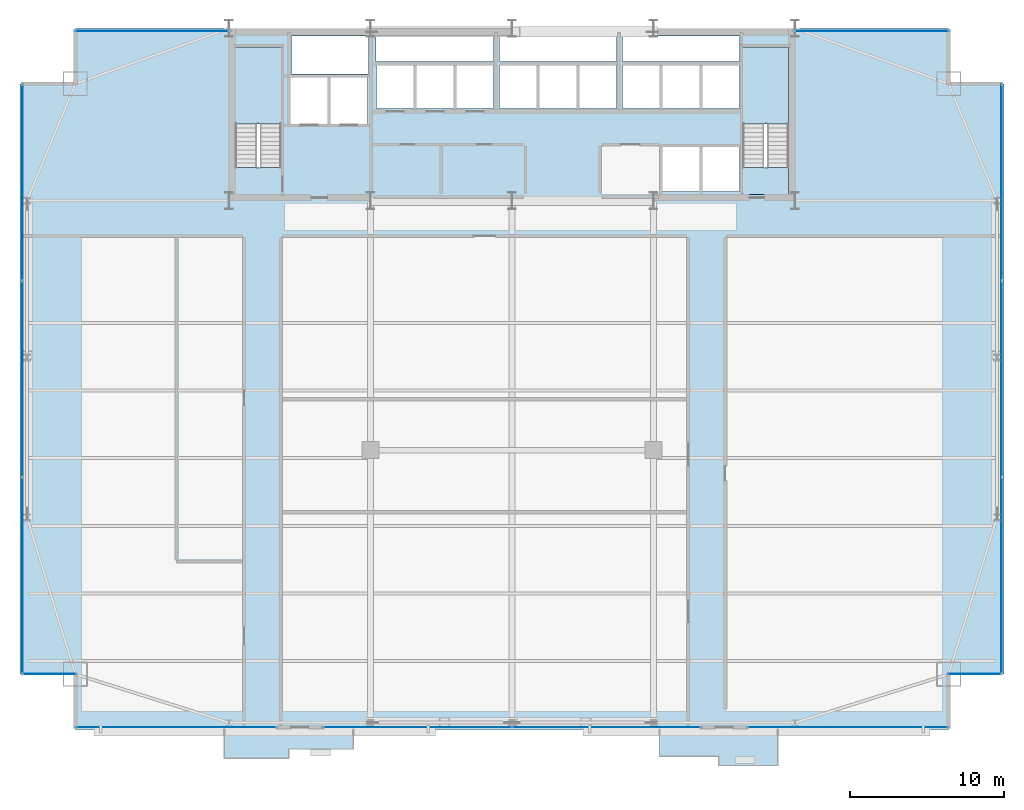
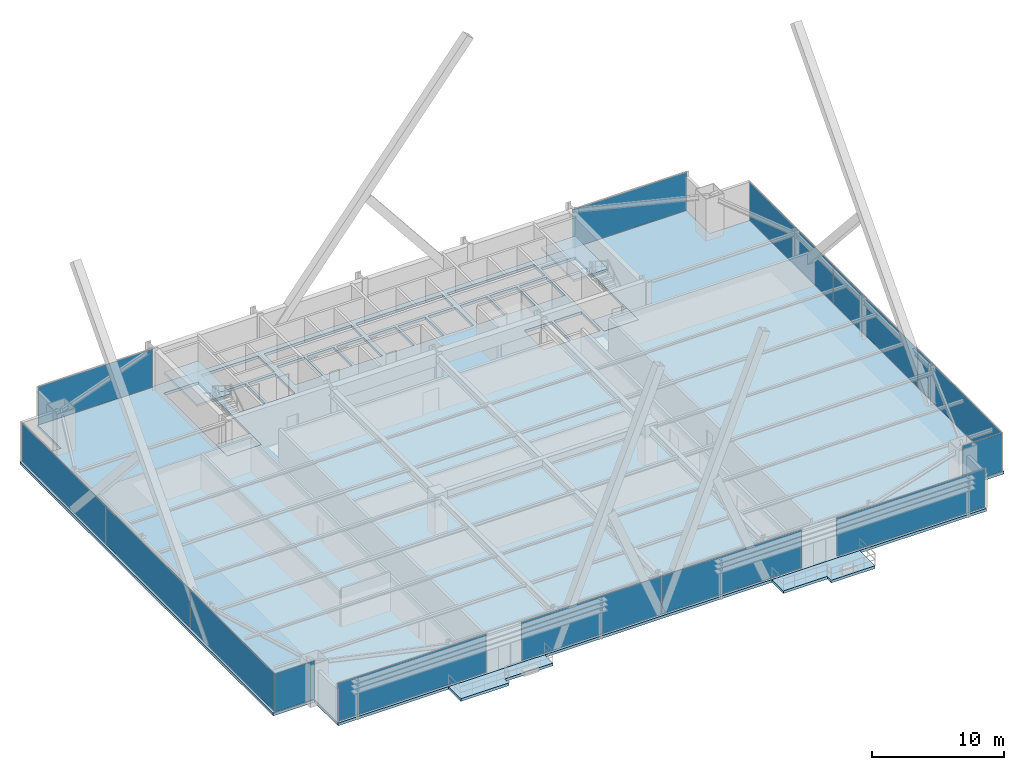
# One storey, part 25 of 32: 14 plates, 7 slabs, 11 elements without a shape of their own.
"""IFC4 building model written with IfcOpenShell, lengths in metres."""

from ifc_helpers import new_model, si_unit, direction, frame, origin, origin_2d, place, context, subcontext, project, spatial, polyline, rectangle, outline, extrude, source, transform, mapped, material, layer, layer_set, type_object, type_shapes, element, aggregate, save


model = new_model("IFC4")

# Units and contexts
model_context = context("Model", 3, precision=1e-05, world=origin(), true_north=direction((0.0, 1.0)))
body_context = subcontext(model_context, "Body", "Model", "MODEL_VIEW")
ifc_project = project(units=[si_unit("LENGTHUNIT", "METRE"), si_unit("AREAUNIT", "SQUARE_METRE"), si_unit("VOLUMEUNIT", "CUBIC_METRE"), si_unit("PLANEANGLEUNIT", "RADIAN"), si_unit("MASSUNIT", "GRAM", prefix="KILO")], contexts=[model_context])

# Site, building, storey
site_placement = place(None, origin())
site = spatial("IfcSite", under=ifc_project, at=site_placement, CompositionType="ELEMENT")
building_placement = place(site_placement, origin())
building = spatial("IfcBuilding", under=site, at=building_placement, Name="Varnel Quay Broadcast Tower", CompositionType="ELEMENT")
storey_placement = place(building_placement, frame((0.0, 0.0, 58.800048828125)))
storey = spatial("IfcBuildingStorey", under=building, at=storey_placement, Name="L13", CompositionType="ELEMENT", Elevation=58.800048828125)

# Slabs
ifc_material_1 = material(Name="Concrete CSA A23.3 C40/50", Category="concrete")
ifc_layer_1 = layer(ifc_material_1, 0.25, Name="Concrete CSA A23.3 C40/50")
ifc_layer_set_1 = layer_set([ifc_layer_1], Name="Concrete CSA A23.3 C40/50")
slab_type_1 = type_object("IfcSlabType", Name="Slab_ExtTerrace250", PredefinedType="FLOOR", material=ifc_layer_set_1)
slab_1_placement = place(storey_placement, frame((0.0, 0.0, -0.25)))
element("IfcSlab", 1, at=slab_1_placement, inside=storey, type_object=slab_type_1, Name="L13 Planted Lobe Terrace Slab 1", PredefinedType="FLOOR", context=body_context, shape_type="SweptSolid", body=[
    extrude(outline(polyline([(15.280029296875, -0.660888671875), (19.47998046875, -0.660888671875), (19.47998046875, -0.06103515625), (23.679931640625, -0.06103515625), (23.679931640625, 1.199951171875), (15.280029296875, 1.199951171875), (15.280029296875, -0.660888671875)])), origin(), (0.0, 0.0, 1.0), 0.25),
])
slab_2_placement = place(storey_placement, frame((0.0, 0.0, -0.25)))
element("IfcSlab", 2, at=slab_2_placement, inside=storey, type_object=slab_type_1, Name="L13 Planted Lobe Terrace Slab 2", PredefinedType="FLOOR", context=body_context, shape_type="SweptSolid", body=[
    extrude(outline(polyline([(43.60009765625, -0.5390625), (47.43994140625, -0.5390625), (47.43994140625, -1.138916015625), (51.280029296875, -1.138916015625), (51.280029296875, 1.199951171875), (43.60009765625, 1.199951171875), (43.60009765625, -0.5390625)])), origin(), (0.0, 0.0, 1.0), 0.25),
])
ifc_material_2 = material(Name="Concrete CSA A23.3 C50/60", Category="concrete")
ifc_layer_2 = layer(ifc_material_2, 0.25, Name="Concrete CSA A23.3 C50/60")
ifc_layer_set_2 = layer_set([ifc_layer_2], Name="Concrete CSA A23.3 C50/60")
slab_type_2 = type_object("IfcSlabType", Name="Slab_Floor250", PredefinedType="FLOOR", material=ifc_layer_set_2)
slab_3_placement = place(storey_placement, frame((0.0, 0.0, -0.25)))
element("IfcSlab", 3, at=slab_3_placement, inside=storey, type_object=slab_type_2, Name="L13 Structural Slab", PredefinedType="FLOOR", context=body_context, shape_type="SweptSolid", body=[
    extrude(outline(polyline([(5.60009765625, 1.199951171875), (62.39990234375, 1.199951171875), (62.39990234375, 4.800048828125), (66.0, 4.800048828125), (66.0, 43.199951171875), (62.39990234375, 43.199951171875), (62.39990234375, 46.800048828125), (5.60009765625, 46.800048828125), (5.60009765625, 43.199951171875), (2.0, 43.199951171875), (2.0, 4.800048828125), (5.60009765625, 4.800048828125), (5.60009765625, 1.199951171875)]), holes=[polyline([(16.0, 36.0), (16.0, 45.60009765625), (19.0, 45.60009765625), (19.0, 36.0), (16.0, 36.0)]), polyline([(19.60009765625, 43.60009765625), (22.0, 43.60009765625), (22.0, 40.60009765625), (19.60009765625, 40.60009765625), (19.60009765625, 43.60009765625)]), polyline([(22.199951171875, 43.60009765625), (24.60009765625, 43.60009765625), (24.60009765625, 40.60009765625), (22.199951171875, 40.60009765625), (22.199951171875, 43.60009765625)]), polyline([(25.199951171875, 44.39990234375), (27.60009765625, 44.39990234375), (27.60009765625, 41.60009765625), (25.199951171875, 41.60009765625), (25.199951171875, 44.39990234375)]), polyline([(27.800048828125, 44.39990234375), (30.199951171875, 44.39990234375), (30.199951171875, 41.60009765625), (27.800048828125, 41.60009765625), (27.800048828125, 44.39990234375)]), polyline([(30.39990234375, 44.39990234375), (32.800048828125, 44.39990234375), (32.800048828125, 41.60009765625), (30.39990234375, 41.60009765625), (30.39990234375, 44.39990234375)]), polyline([(33.199951171875, 44.39990234375), (35.60009765625, 44.39990234375), (35.60009765625, 41.60009765625), (33.199951171875, 41.60009765625), (33.199951171875, 44.39990234375)]), polyline([(38.199951171875, 44.39990234375), (38.199951171875, 41.60009765625), (35.800048828125, 41.60009765625), (35.800048828125, 44.39990234375), (38.199951171875, 44.39990234375)]), polyline([(24.679931640625, 46.300048828125), (24.679931640625, 43.85009765625), (19.64990234375, 43.85009765625), (19.64990234375, 46.300048828125), (24.679931640625, 46.300048828125)]), polyline([(25.14990234375, 46.300048828125), (32.800048828125, 46.300048828125), (32.800048828125, 44.64990234375), (25.14990234375, 44.64990234375), (25.14990234375, 46.300048828125)]), polyline([(43.800048828125, 39.10009765625), (46.199951171875, 39.10009765625), (46.199951171875, 36.199951171875), (43.800048828125, 36.199951171875), (43.800048828125, 39.10009765625)]), polyline([(46.39990234375, 39.10009765625), (48.800048828125, 39.10009765625), (48.800048828125, 36.199951171875), (46.39990234375, 36.199951171875), (46.39990234375, 39.10009765625)]), polyline([(49.0, 45.60009765625), (52.0, 45.60009765625), (52.0, 36.0), (49.0, 36.0), (49.0, 45.60009765625)]), polyline([(40.800048828125, 44.39990234375), (40.800048828125, 41.60009765625), (38.39990234375, 41.60009765625), (38.39990234375, 44.39990234375), (40.800048828125, 44.39990234375)]), polyline([(41.199951171875, 44.39990234375), (43.60009765625, 44.39990234375), (43.60009765625, 41.60009765625), (41.199951171875, 41.60009765625), (41.199951171875, 44.39990234375)]), polyline([(43.800048828125, 44.39990234375), (46.199951171875, 44.39990234375), (46.199951171875, 41.60009765625), (43.800048828125, 41.60009765625), (43.800048828125, 44.39990234375)]), polyline([(46.39990234375, 44.39990234375), (48.800048828125, 44.39990234375), (48.800048828125, 41.60009765625), (46.39990234375, 41.60009765625), (46.39990234375, 44.39990234375)]), polyline([(40.800048828125, 46.300048828125), (40.800048828125, 44.64990234375), (33.199951171875, 44.64990234375), (33.199951171875, 46.300048828125), (40.800048828125, 46.300048828125)]), polyline([(48.800048828125, 46.300048828125), (48.800048828125, 44.64990234375), (41.199951171875, 44.64990234375), (41.199951171875, 46.300048828125), (48.800048828125, 46.300048828125)])]), origin(), (0.0, 0.0, 1.0), 0.25),
])
ifc_layer_3 = layer(ifc_material_2, 0.25, Name="Concrete CSA A23.3 C50/60")
ifc_layer_set_3 = layer_set([ifc_layer_3], Name="Concrete CSA A23.3 C50/60")
slab_type_3 = type_object("IfcSlabType", Name="Slab_StairFloorLanding250", PredefinedType="FLOOR", material=ifc_layer_set_3)
slab_4_placement = place(storey_placement, frame((0.0, 0.0, -0.25)))
element("IfcSlab", 4, at=slab_4_placement, inside=storey, type_object=slab_type_3, Name="L13 ST-01 Structural Floor Landing Slab", PredefinedType="FLOOR", context=body_context, shape_type="SweptSolid", body=[
    extrude(outline(polyline([(19.0, 36.0), (19.0, 37.75), (16.0, 37.75), (16.0, 36.0), (19.0, 36.0)])), origin(), (0.0, 0.0, 1.0), 0.25),
])
slab_5_placement = place(storey_placement, frame((0.0, 0.0, -0.25)))
element("IfcSlab", 5, at=slab_5_placement, inside=storey, type_object=slab_type_3, Name="L13 ST-02 Structural Floor Landing Slab", PredefinedType="FLOOR", context=body_context, shape_type="SweptSolid", body=[
    extrude(outline(polyline([(52.0, 36.0), (52.0, 37.75), (49.0, 37.75), (49.0, 36.0), (52.0, 36.0)])), origin(), (0.0, 0.0, 1.0), 0.25),
])

# Stair, slab
ifc_material_3 = material(Name="Precast Structural Concrete C40/50", Category="concrete")
stair_type_1 = type_object("IfcStairType", Name="Stair_ST-01", PredefinedType="HALF_TURN_STAIR", material=ifc_material_3)
stair_1_placement = place(storey_placement, origin())
stair_1 = element("IfcStair", 6, at=stair_1_placement, inside=storey, type_object=stair_type_1, Name="L13 West Core Exit Stair 1", PredefinedType="HALF_TURN_STAIR")
ifc_layer_4 = layer(ifc_material_3, 0.199951171875, Name="Precast Structural Concrete C40/50")
ifc_layer_set_4 = layer_set([ifc_layer_4], Name="Precast Structural Concrete C40/50")
slab_type_4 = type_object("IfcSlabType", Name="Slab_StairLanding200", PredefinedType="LANDING", material=ifc_layer_set_4)
slab_6_placement = place(storey_placement, frame((0.0, 0.0, 1.75)))
slab_6 = element("IfcSlab", 7, at=slab_6_placement, type_object=slab_type_4, Name="ST-01 landing 1", PredefinedType="LANDING", context=body_context, shape_type="SweptSolid", body=[
    extrude(outline(polyline([(19.0, 40.60009765625), (19.0, 45.60009765625), (16.0, 45.60009765625), (16.0, 40.60009765625), (19.0, 40.60009765625)])), origin(), (0.0, 0.0, 1.0), 0.199951171875),
])
aggregate(stair_1, [slab_6])

stair_type_2 = type_object("IfcStairType", Name="Stair_ST-02", PredefinedType="HALF_TURN_STAIR", material=ifc_material_3)
stair_2_placement = place(storey_placement, origin())
stair_2 = element("IfcStair", 8, at=stair_2_placement, inside=storey, type_object=stair_type_2, Name="L13 East Core Exit Stair 2", PredefinedType="HALF_TURN_STAIR")
slab_7_placement = place(storey_placement, frame((0.0, 0.0, 1.75)))
slab_7 = element("IfcSlab", 9, at=slab_7_placement, type_object=slab_type_4, Name="ST-02 landing 1", PredefinedType="LANDING", context=body_context, shape_type="SweptSolid", body=[
    extrude(outline(polyline([(52.0, 40.60009765625), (52.0, 45.60009765625), (49.0, 45.60009765625), (49.0, 40.60009765625), (52.0, 40.60009765625)])), origin(), (0.0, 0.0, 1.0), 0.199951171875),
])
aggregate(stair_2, [slab_7])

# Curtain wall, plate
ifc_material_4 = material(Name="Anodised Bronze Aluminium 6063-T6", Category="aluminium")
ifc_layer_5 = layer(ifc_material_4, 0.18994140625, Name="Anodised Bronze Aluminium 6063-T6")
ifc_layer_set_5 = layer_set([ifc_layer_5], Name="Anodised Bronze Aluminium 6063-T6")
curtain_wall_type_1 = type_object("IfcCurtainWallType", Name="CW_LowerTower", PredefinedType="NOTDEFINED", material=ifc_layer_set_5)
curtain_wall_1_placement = place(storey_placement, origin())
curtain_wall_1 = element("IfcCurtainWall", 10, at=curtain_wall_1_placement, inside=storey, type_object=curtain_wall_type_1, Name="L13 South Unitised Curtain Wall 1", PredefinedType="NOTDEFINED")
ifc_material_5 = material(Name="Triple-Glazed Bronze Low-E Architectural Glass", Category="glass")
ifc_layer_6 = layer(ifc_material_5, 0.031982421875, Name="Triple-Glazed Bronze Low-E Architectural Glass")
ifc_layer_set_6 = layer_set([ifc_layer_6], Name="Triple-Glazed Bronze Low-E Architectural Glass")
plate_type_1 = type_object("IfcPlateType", Name="Panel_CWS-02", PredefinedType="CURTAIN_PANEL", material=ifc_layer_set_6)
shared_shape_1 = source(origin(), body_context, "Body", "SweptSolid", [
    extrude(rectangle(XDim=12.97998046875, YDim=0.031982421875, at=origin_2d()), origin(), (0.0, 0.0, 1.0), 3.530029296875),
])
plate_1_placement = place(storey_placement, frame((12.159912109375, 1.35009765625, 0.06005859375), z_axis=(0.0, 0.0, 1.0), x_axis=(1.0, 0.0, 0.0)))
plate_1 = element("IfcPlate", 11, at=plate_1_placement, type_object=plate_type_1, Name="CWS-02 panel 1.1", PredefinedType="CURTAIN_PANEL", context=body_context, shape_type="MappedRepresentation", body=[
    mapped(shared_shape_1, transform((0.0, 0.0, 0.0), x_axis=(1.0, 0.0, 0.0), y_axis=(0.0, 1.0, 0.0), z_axis=(0.0, 0.0, 1.0), scale=1.0)),
])
aggregate(curtain_wall_1, [plate_1])

curtain_wall_2_placement = place(storey_placement, origin())
curtain_wall_2 = element("IfcCurtainWall", 12, at=curtain_wall_2_placement, inside=storey, type_object=curtain_wall_type_1, Name="L13 South Unitised Curtain Wall 3", PredefinedType="NOTDEFINED")
plate_2_placement = place(storey_placement, frame((55.840087890625, 1.35009765625, 0.06005859375), z_axis=(0.0, 0.0, 1.0), x_axis=(1.0, 0.0, 0.0)))
plate_2 = element("IfcPlate", 13, at=plate_2_placement, type_object=plate_type_1, Name="CWS-02 panel 1.1", PredefinedType="CURTAIN_PANEL", context=body_context, shape_type="MappedRepresentation", body=[
    mapped(shared_shape_1, transform((0.0, 0.0, 0.0), x_axis=(1.0, 0.0, 0.0), y_axis=(0.0, 1.0, 0.0), z_axis=(0.0, 0.0, 1.0), scale=1.0)),
])
aggregate(curtain_wall_2, [plate_2])

# Curtain wall, plates
curtain_wall_3_placement = place(storey_placement, origin())
curtain_wall_3 = element("IfcCurtainWall", 14, at=curtain_wall_3_placement, inside=storey, type_object=curtain_wall_type_1, Name="L13 South Unitised Curtain Wall 2", PredefinedType="NOTDEFINED")
ifc_material_6 = material(Name="Insulated Bronze Spandrel Glass", Category="glass")
ifc_layer_7 = layer(ifc_material_6, 0.031982421875, Name="Insulated Bronze Spandrel Glass")
ifc_layer_set_7 = layer_set([ifc_layer_7], Name="Insulated Bronze Spandrel Glass")
plate_type_2 = type_object("IfcPlateType", Name="PanelSp_CWS-02", PredefinedType="CURTAIN_PANEL", material=ifc_layer_set_7)
shared_shape_2 = source(origin(), body_context, "Body", "SweptSolid", [
    extrude(rectangle(XDim=12.215087890625, YDim=0.031982421875, at=origin_2d()), origin(), (0.0, 0.0, 1.0), 3.530029296875),
])
plate_3_placement = place(storey_placement, frame((27.857421875, 1.35009765625, 0.06005859375), z_axis=(0.0, 0.0, 1.0), x_axis=(1.0, 0.0, 0.0)))
plate_3 = element("IfcPlate", 15, at=plate_3_placement, type_object=plate_type_2, Name="CWS-02 panel 1.1", PredefinedType="CURTAIN_PANEL", context=body_context, shape_type="MappedRepresentation", body=[
    mapped(shared_shape_2, transform((0.0, 0.0, 0.0), x_axis=(1.0, 0.0, 0.0), y_axis=(0.0, 1.0, 0.0), z_axis=(0.0, 0.0, 1.0), scale=1.0)),
])
plate_4_placement = place(storey_placement, frame((40.142578125, 1.35009765625, 0.06005859375), z_axis=(0.0, 0.0, 1.0), x_axis=(1.0, 0.0, 0.0)))
plate_4 = element("IfcPlate", 16, at=plate_4_placement, type_object=plate_type_2, Name="CWS-02 panel 2.1", PredefinedType="CURTAIN_PANEL", context=body_context, shape_type="MappedRepresentation", body=[
    mapped(shared_shape_2, transform((0.0, 0.0, 0.0), x_axis=(1.0, 0.0, 0.0), y_axis=(0.0, 1.0, 0.0), z_axis=(0.0, 0.0, 1.0), scale=1.0)),
])
aggregate(curtain_wall_3, [plate_3, plate_4])

curtain_wall_4_placement = place(storey_placement, origin())
curtain_wall_4 = element("IfcCurtainWall", 17, at=curtain_wall_4_placement, inside=storey, type_object=curtain_wall_type_1, Name="L13 West Unitised Curtain Wall", PredefinedType="NOTDEFINED")
shared_shape_3 = source(origin(), body_context, "Body", "SweptSolid", [
    extrude(rectangle(XDim=12.695068359375, YDim=0.031982421875, at=origin_2d()), origin(), (0.0, 0.0, 1.0), 3.530029296875),
])
plate_5_placement = place(storey_placement, frame((2.14990234375, 11.217529296875, 0.06005859375), z_axis=(0.0, 0.0, 1.0), x_axis=(0.0, 1.0, 0.0)))
plate_5 = element("IfcPlate", 18, at=plate_5_placement, type_object=plate_type_2, Name="CWS-02 panel 1.1", PredefinedType="CURTAIN_PANEL", context=body_context, shape_type="MappedRepresentation", body=[
    mapped(shared_shape_3, transform((0.0, 0.0, 0.0), x_axis=(1.0, 0.0, 0.0), y_axis=(0.0, 1.0, 0.0), z_axis=(0.0, 0.0, 1.0), scale=1.0)),
])
plate_6_placement = place(storey_placement, frame((2.14990234375, 36.782470703125, 0.06005859375), z_axis=(0.0, 0.0, 1.0), x_axis=(0.0, 1.0, 0.0)))
plate_6 = element("IfcPlate", 19, at=plate_6_placement, type_object=plate_type_2, Name="CWS-02 panel 3.1", PredefinedType="CURTAIN_PANEL", context=body_context, shape_type="MappedRepresentation", body=[
    mapped(shared_shape_3, transform((0.0, 0.0, 0.0), x_axis=(1.0, 0.0, 0.0), y_axis=(0.0, 1.0, 0.0), z_axis=(0.0, 0.0, 1.0), scale=1.0)),
])

curtain_wall_5_placement = place(storey_placement, origin())
curtain_wall_5 = element("IfcCurtainWall", 20, at=curtain_wall_5_placement, inside=storey, type_object=curtain_wall_type_1, Name="L13 East Unitised Curtain Wall", PredefinedType="NOTDEFINED")
plate_7_placement = place(storey_placement, frame((65.85009765625, 11.217529296875, 0.06005859375), z_axis=(0.0, 0.0, 1.0), x_axis=(0.0, 1.0, 0.0)))
plate_7 = element("IfcPlate", 21, at=plate_7_placement, type_object=plate_type_2, Name="CWS-02 panel 1.1", PredefinedType="CURTAIN_PANEL", context=body_context, shape_type="MappedRepresentation", body=[
    mapped(shared_shape_3, transform((0.0, 0.0, 0.0), x_axis=(1.0, 0.0, 0.0), y_axis=(0.0, 1.0, 0.0), z_axis=(0.0, 0.0, 1.0), scale=1.0)),
])
plate_8_placement = place(storey_placement, frame((65.85009765625, 36.782470703125, 0.06005859375), z_axis=(0.0, 0.0, 1.0), x_axis=(0.0, 1.0, 0.0)))
plate_8 = element("IfcPlate", 22, at=plate_8_placement, type_object=plate_type_2, Name="CWS-02 panel 3.1", PredefinedType="CURTAIN_PANEL", context=body_context, shape_type="MappedRepresentation", body=[
    mapped(shared_shape_3, transform((0.0, 0.0, 0.0), x_axis=(1.0, 0.0, 0.0), y_axis=(0.0, 1.0, 0.0), z_axis=(0.0, 0.0, 1.0), scale=1.0)),
])

# Plate
shared_shape_4 = source(origin(), body_context, "Body", "SweptSolid", [
    extrude(rectangle(XDim=12.72998046875, YDim=0.031982421875, at=origin_2d()), origin(), (0.0, 0.0, 1.0), 3.530029296875),
])
type_shapes(plate_type_2, [shared_shape_2, shared_shape_3, shared_shape_4])
plate_9_placement = place(storey_placement, frame((2.14990234375, 24.0, 0.06005859375), z_axis=(0.0, 0.0, 1.0), x_axis=(0.0, 1.0, 0.0)))
plate_9 = element("IfcPlate", 23, at=plate_9_placement, type_object=plate_type_2, Name="CWS-02 panel 2.1", PredefinedType="CURTAIN_PANEL", context=body_context, shape_type="MappedRepresentation", body=[
    mapped(shared_shape_4, transform((0.0, 0.0, 0.0), x_axis=(1.0, 0.0, 0.0), y_axis=(0.0, 1.0, 0.0), z_axis=(0.0, 0.0, 1.0), scale=1.0)),
])

aggregate(curtain_wall_4, [plate_5, plate_9, plate_6])

plate_10_placement = place(storey_placement, frame((65.85009765625, 24.0, 0.06005859375), z_axis=(0.0, 0.0, 1.0), x_axis=(0.0, 1.0, 0.0)))
plate_10 = element("IfcPlate", 24, at=plate_10_placement, type_object=plate_type_2, Name="CWS-02 panel 2.1", PredefinedType="CURTAIN_PANEL", context=body_context, shape_type="MappedRepresentation", body=[
    mapped(shared_shape_4, transform((0.0, 0.0, 0.0), x_axis=(1.0, 0.0, 0.0), y_axis=(0.0, 1.0, 0.0), z_axis=(0.0, 0.0, 1.0), scale=1.0)),
])

aggregate(curtain_wall_5, [plate_7, plate_10, plate_8])

# Curtain wall, plate
ifc_layer_8 = layer(ifc_material_4, 0.18994140625, Name="Anodised Bronze Aluminium 6063-T6")
ifc_layer_set_8 = layer_set([ifc_layer_8], Name="Anodised Bronze Aluminium 6063-T6")
curtain_wall_type_2 = type_object("IfcCurtainWallType", Name="CW_NotchCorner", PredefinedType="NOTDEFINED", material=ifc_layer_set_8)
curtain_wall_6_placement = place(storey_placement, origin())
curtain_wall_6 = element("IfcCurtainWall", 25, at=curtain_wall_6_placement, inside=storey, type_object=curtain_wall_type_2, Name="L13 SW Notch Curtain Wall", PredefinedType="NOTDEFINED")
ifc_layer_9 = layer(ifc_material_5, 0.028076171875, Name="Triple-Glazed Bronze Low-E Architectural Glass")
ifc_layer_set_9 = layer_set([ifc_layer_9], Name="Triple-Glazed Bronze Low-E Architectural Glass")
plate_type_3 = type_object("IfcPlateType", Name="Panel_CWS-04", PredefinedType="CURTAIN_PANEL", material=ifc_layer_set_9)
shared_shape_5 = source(origin(), body_context, "Body", "SweptSolid", [
    extrude(rectangle(XDim=3.409912109375, YDim=0.028076171875, at=origin_2d()), origin(), (0.0, 0.0, 1.0), 3.5400390625),
])
type_shapes(plate_type_3, [shared_shape_5])
plate_11_placement = place(storey_placement, frame((3.9150390625, 4.800048828125, 0.054931640625), z_axis=(0.0, 0.0, 1.0), x_axis=(1.0, 0.0, 0.0)))
plate_11 = element("IfcPlate", 26, at=plate_11_placement, type_object=plate_type_3, Name="CWS-04 panel 1.1", PredefinedType="CURTAIN_PANEL", context=body_context, shape_type="MappedRepresentation", body=[
    mapped(shared_shape_5, transform((0.0, 0.0, 0.0), x_axis=(1.0, 0.0, 0.0), y_axis=(0.0, 1.0, 0.0), z_axis=(0.0, 0.0, 1.0), scale=1.0)),
])
aggregate(curtain_wall_6, [plate_11])

curtain_wall_7_placement = place(storey_placement, origin())
curtain_wall_7 = element("IfcCurtainWall", 27, at=curtain_wall_7_placement, inside=storey, type_object=curtain_wall_type_2, Name="L13 SE Notch Curtain Wall", PredefinedType="NOTDEFINED")
plate_12_placement = place(storey_placement, frame((64.0849609375, 4.800048828125, 0.054931640625), z_axis=(0.0, 0.0, 1.0), x_axis=(1.0, 0.0, 0.0)))
plate_12 = element("IfcPlate", 28, at=plate_12_placement, type_object=plate_type_3, Name="CWS-04 panel 1.1", PredefinedType="CURTAIN_PANEL", context=body_context, shape_type="MappedRepresentation", body=[
    mapped(shared_shape_5, transform((0.0, 0.0, 0.0), x_axis=(1.0, 0.0, 0.0), y_axis=(0.0, 1.0, 0.0), z_axis=(0.0, 0.0, 1.0), scale=1.0)),
])
aggregate(curtain_wall_7, [plate_12])

curtain_wall_8_placement = place(storey_placement, origin())
curtain_wall_8 = element("IfcCurtainWall", 29, at=curtain_wall_8_placement, inside=storey, type_object=curtain_wall_type_1, Name="L13 NW Wing Curtain Wall", PredefinedType="NOTDEFINED")
shared_shape_6 = source(origin(), body_context, "Body", "SweptSolid", [
    extrude(rectangle(XDim=10.0400390625, YDim=0.031982421875, at=origin_2d()), origin(), (0.0, 0.0, 1.0), 3.530029296875),
])
type_shapes(plate_type_1, [shared_shape_1, shared_shape_6])
plate_13_placement = place(storey_placement, frame((10.610107421875, 46.64990234375, 0.06005859375), z_axis=(0.0, 0.0, 1.0), x_axis=(1.0, 0.0, 0.0)))
plate_13 = element("IfcPlate", 30, at=plate_13_placement, type_object=plate_type_1, Name="CWS-02 panel 1.1", PredefinedType="CURTAIN_PANEL", context=body_context, shape_type="MappedRepresentation", body=[
    mapped(shared_shape_6, transform((0.0, 0.0, 0.0), x_axis=(1.0, 0.0, 0.0), y_axis=(0.0, 1.0, 0.0), z_axis=(0.0, 0.0, 1.0), scale=1.0)),
])
aggregate(curtain_wall_8, [plate_13])

curtain_wall_9_placement = place(storey_placement, origin())
curtain_wall_9 = element("IfcCurtainWall", 31, at=curtain_wall_9_placement, inside=storey, type_object=curtain_wall_type_1, Name="L13 NE Wing Curtain Wall", PredefinedType="NOTDEFINED")
plate_14_placement = place(storey_placement, frame((57.389892578125, 46.64990234375, 0.06005859375), z_axis=(0.0, 0.0, 1.0), x_axis=(1.0, 0.0, 0.0)))
plate_14 = element("IfcPlate", 32, at=plate_14_placement, type_object=plate_type_1, Name="CWS-02 panel 1.1", PredefinedType="CURTAIN_PANEL", context=body_context, shape_type="MappedRepresentation", body=[
    mapped(shared_shape_6, transform((0.0, 0.0, 0.0), x_axis=(1.0, 0.0, 0.0), y_axis=(0.0, 1.0, 0.0), z_axis=(0.0, 0.0, 1.0), scale=1.0)),
])
aggregate(curtain_wall_9, [plate_14])

save(model, "model.ifc")
